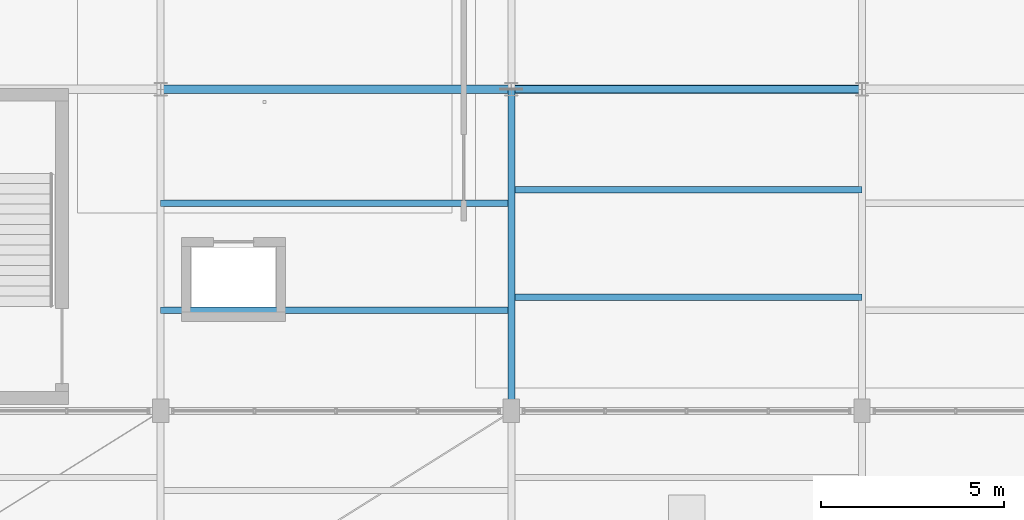
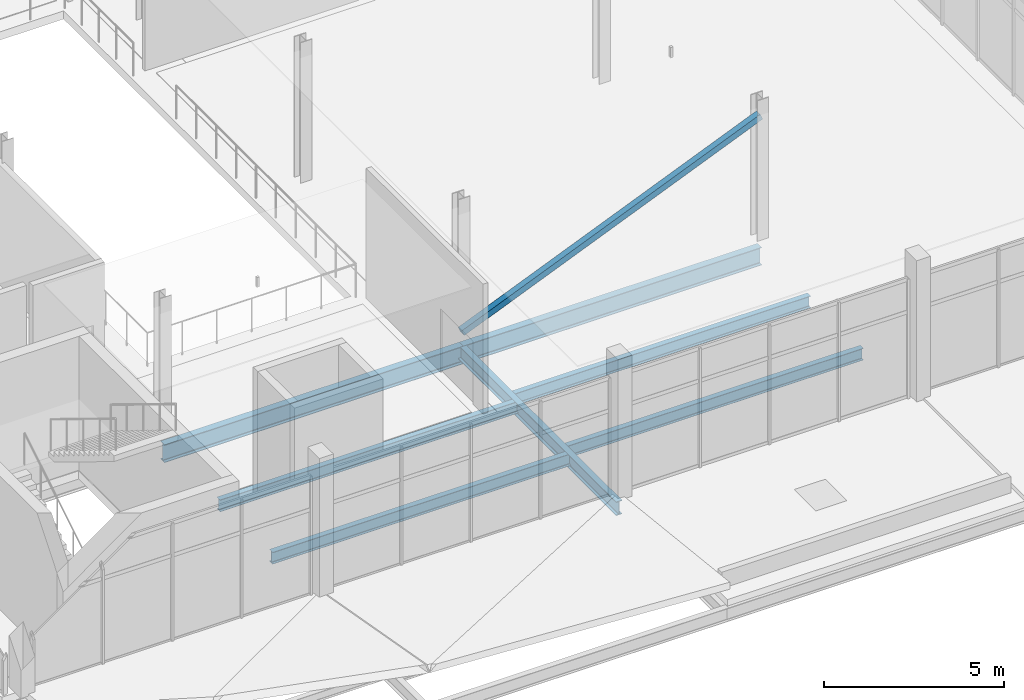
# One storey, part 19 of 157: 7 beams, 1 member.
"""IFC4 building model written with IfcOpenShell, lengths in metres."""

from ifc_helpers import new_model, si_unit, direction, frame, origin, origin_2d, place, context, subcontext, project, spatial, hollow_rectangle, i_section, extrude, material, material_profile, profile_set, type_object, element, save


model = new_model("IFC4")

# Units and contexts
model_context = context("Model", 3, precision=1e-05, world=origin(), true_north=direction((0.0, 1.0)))
body_context = subcontext(model_context, "Body", "Model", "MODEL_VIEW")
ifc_project = project(units=[si_unit("LENGTHUNIT", "METRE"), si_unit("AREAUNIT", "SQUARE_METRE"), si_unit("VOLUMEUNIT", "CUBIC_METRE"), si_unit("PLANEANGLEUNIT", "RADIAN"), si_unit("MASSUNIT", "GRAM", prefix="KILO")], contexts=[model_context])

# Site, building, storey
site_placement = place(None, origin())
site = spatial("IfcSite", under=ifc_project, at=site_placement, CompositionType="ELEMENT")
building_placement = place(site_placement, origin())
building = spatial("IfcBuilding", under=site, at=building_placement, Name="Chalmorin Arch Market", CompositionType="ELEMENT")
storey_placement = place(building_placement, frame((0.0, 0.0, 4.800048828125)))
storey = spatial("IfcBuildingStorey", under=building, at=storey_placement, Name="L01", CompositionType="ELEMENT", Elevation=4.800048828125)

# Beam
ifc_material_1 = material(Name="Steel A992 Grade 50", Category="steel")
ifc_material_profile_1 = material_profile(ifc_material_1, i_section(OverallWidth=0.193115234375, OverallDepth=0.466064453125, WebThickness=0.011474609375, FlangeThickness=0.01904296875, FilletRadius=0.02001953125, at=origin_2d()), Name="W18X65")
ifc_profile_set_1 = profile_set([ifc_material_profile_1], Name="Steel A992 Grade 50")
beam_type_1 = type_object("IfcBeamType", Name="FloorSteelBeam-W18X65", PredefinedType="BEAM", material=ifc_profile_set_1)
beam_1_placement = place(storey_placement, frame((19.199951171875, 6.0, -0.51513671875), z_axis=(0.0, 1.0, 0.0), x_axis=(-1.0, 0.0, 0.0)))
element("IfcBeam", 1, at=beam_1_placement, inside=storey, type_object=beam_type_1, Name="BM-W18A-0816", PredefinedType="BEAM", context=body_context, shape_type="SweptSolid", body=[
    extrude(i_section(OverallWidth=0.193115234375, OverallDepth=0.466064453125, WebThickness=0.011474609375, FlangeThickness=0.01904296875, FilletRadius=0.02001953125, at=origin_2d()), origin(), (0.0, 0.0, 1.0), 8.800048828125),
])

# Member
ifc_material_2 = material(Name="Steel A500 Grade C", Category="steel")
ifc_material_profile_2 = material_profile(ifc_material_2, hollow_rectangle(XDim=0.203125, YDim=0.203125, WallThickness=0.01171875, at=origin_2d()), Name="HSS8X8X1/2")
ifc_profile_set_2 = profile_set([ifc_material_profile_2], Name="Steel A500 Grade C")
member_type = type_object("IfcMemberType", Name="LateralTubeBrace-HSS8X8", PredefinedType="BRACE", material=ifc_profile_set_2)
member_placement = place(storey_placement, frame((19.199951171875, 14.800048828125, 0.14990234375), z_axis=(0.923078312116, 0.0, 0.384612050905), x_axis=(0.0, 1.0, 0.0)))
element("IfcMember", 2, at=member_placement, inside=storey, type_object=member_type, Name="BR-HS8-0341", ObjectType="Diagonal brace", PredefinedType="BRACE", context=body_context, shape_type="SweptSolid", body=[
    extrude(hollow_rectangle(XDim=0.203125, YDim=0.203125, WallThickness=0.01171875, at=origin_2d()), origin(), (0.0, 0.0, 1.0), 10.400146484375),
])

# Beams
ifc_material_profile_3 = material_profile(ifc_material_1, i_section(OverallWidth=0.22802734375, OverallDepth=0.60791015625, WebThickness=0.01123046875, FlangeThickness=0.017333984375, FilletRadius=0.02392578125, at=origin_2d()), Name="W24X76")
ifc_profile_set_3 = profile_set([ifc_material_profile_3], Name="Steel A992 Grade 50")
beam_type_2 = type_object("IfcBeamType", Name="PrimarySteelGirder-W24X76", PredefinedType="BEAM", material=ifc_profile_set_3)
beam_2_placement = place(storey_placement, frame((9.60009765625, 14.800048828125, -0.5859375), z_axis=(1.0, 0.0, 0.0), x_axis=(0.0, 1.0, 0.0)))
element("IfcBeam", 3, at=beam_2_placement, inside=storey, type_object=beam_type_2, Name="BG-W24B-0815", PredefinedType="BEAM", context=body_context, shape_type="SweptSolid", body=[
    extrude(i_section(OverallWidth=0.22802734375, OverallDepth=0.60791015625, WebThickness=0.01123046875, FlangeThickness=0.017333984375, FilletRadius=0.02392578125, at=origin_2d()), origin(), (0.0, 0.0, 1.0), 9.599853515625),
])
beam_3_placement = place(storey_placement, frame((19.199951171875, 14.800048828125, -0.5859375), z_axis=(1.0, 0.0, 0.0), x_axis=(0.0, 1.0, 0.0)))
element("IfcBeam", 4, at=beam_3_placement, inside=storey, type_object=beam_type_2, Name="BG-W24B-0824", PredefinedType="BEAM", context=body_context, shape_type="SweptSolid", body=[
    extrude(i_section(OverallWidth=0.22802734375, OverallDepth=0.60791015625, WebThickness=0.01123046875, FlangeThickness=0.017333984375, FilletRadius=0.02392578125, at=origin_2d()), origin(), (0.0, 0.0, 1.0), 9.60009765625),
])
ifc_material_profile_4 = material_profile(ifc_material_1, i_section(OverallWidth=0.177978515625, OverallDepth=0.403076171875, WebThickness=0.007568359375, FlangeThickness=0.010986328125, FilletRadius=0.01806640625, at=origin_2d()), Name="W16X36")
ifc_profile_set_4 = profile_set([ifc_material_profile_4], Name="Steel A992 Grade 50")
beam_type_3 = type_object("IfcBeamType", Name="SecondaryFloorJoist-W16X36", PredefinedType="JOIST", material=ifc_profile_set_4)
for number, where, z_axis, x_axis, name in (
    (5, (9.60009765625, 8.75341796875, -0.483642578125), (1.0, 0.0, 0.0), (0.0, 1.0, 0.0), "BJ-W16B-0853"),
    (6, (9.60009765625, 11.686767578125, -0.483642578125), (1.0, 0.0, 0.0), (0.0, 1.0, 0.0), "BJ-W16B-0854"),
):
    element("IfcBeam", number, at=place(storey_placement, frame(where, z_axis=z_axis, x_axis=x_axis)), inside=storey, type_object=beam_type_3, Name=name, PredefinedType="JOIST", context=body_context, shape_type="SweptSolid", body=[
        extrude(i_section(OverallWidth=0.177978515625, OverallDepth=0.403076171875, WebThickness=0.007568359375, FlangeThickness=0.010986328125, FilletRadius=0.01806640625, at=origin_2d()), origin(), (0.0, 0.0, 1.0), 9.599853515625),
    ])
for number, where, z_axis, x_axis, name in (
    (7, (19.199951171875, 9.11328125, -0.483642578125), (1.0, 0.0, 0.0), (0.0, 1.0, 0.0), "BJ-W16B-0860"),
    (8, (19.199951171875, 12.046630859375, -0.483642578125), (1.0, 0.0, 0.0), (0.0, 1.0, 0.0), "BJ-W16B-0861"),
):
    element("IfcBeam", number, at=place(storey_placement, frame(where, z_axis=z_axis, x_axis=x_axis)), inside=storey, type_object=beam_type_3, Name=name, PredefinedType="JOIST", context=body_context, shape_type="SweptSolid", body=[
        extrude(i_section(OverallWidth=0.177978515625, OverallDepth=0.403076171875, WebThickness=0.007568359375, FlangeThickness=0.010986328125, FilletRadius=0.01806640625, at=origin_2d()), origin(), (0.0, 0.0, 1.0), 9.60009765625),
    ])

save(model, "model.ifc")
